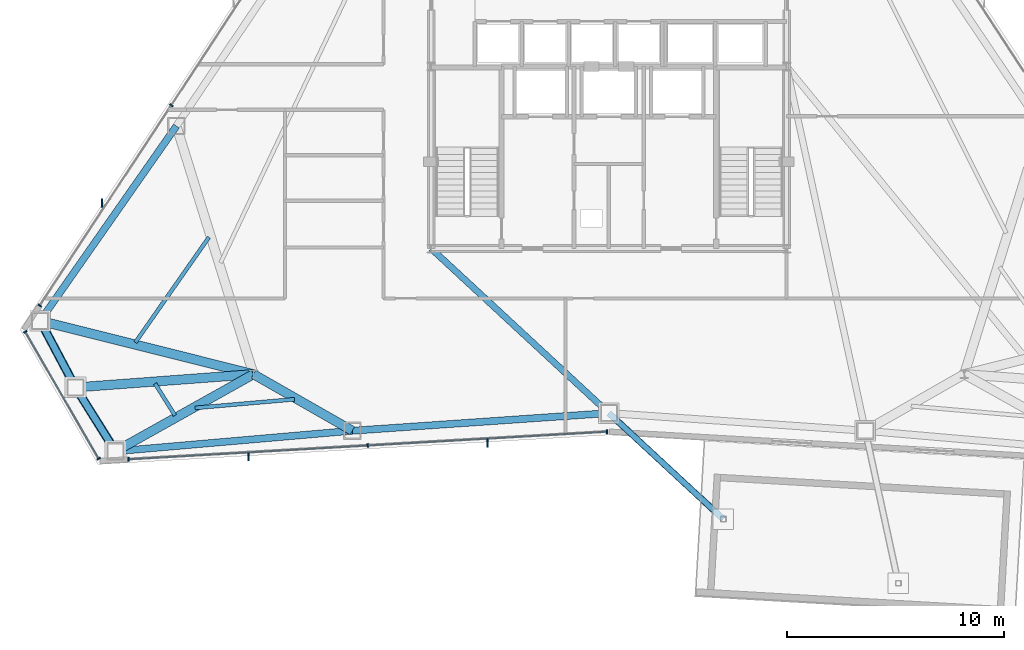
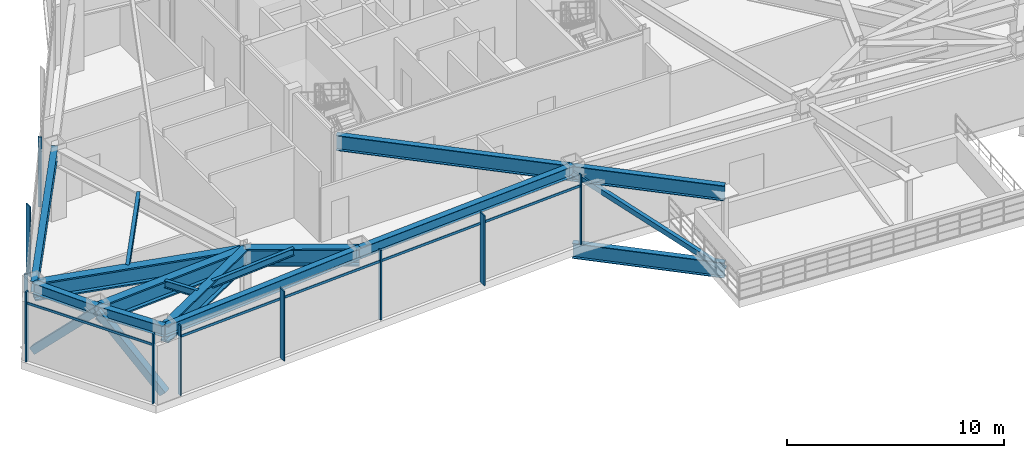
# One storey, part 3 of 13: 15 beams, 15 members, 3 elements without a shape of their own.
"""IFC4 building model written with IfcOpenShell, lengths in metres."""

import ifcopenshell
import ifcopenshell.guid

model = None  # the IFC model being written
_history = None  # IfcOwnerHistory: only IFC2X3 demands one
_inside = {}  # id of a spatial element -> (the spatial element, [elements in it])
_under = {}  # id of a project, library or spatial element -> (it, [spatial elements below it])
_declared = {}  # id of a project -> (the project, [libraries it declares])
_typed = {}  # id of a type object -> (the type object, [elements of that type])
_made_of = {}  # id of a material, layer set ... -> (it, [elements and type objects made of it])


def new_model(schema):
    """Start an empty IFC model of exactly this schema.

    Asked for "IFC4X3", IfcOpenShell would pick the latest addendum, in which some entities
    have other attributes; the version numbers below select the first issue.
    IFC2X3 requires an IfcOwnerHistory on every rooted entity: one is made here for all.
    """
    global model, _history
    if schema == "IFC4X3":
        model = ifcopenshell.file(schema_version=(4, 3, 0, 0))
    else:
        model = ifcopenshell.file(schema=schema)
    _inside.clear()
    _under.clear()
    _declared.clear()
    _typed.clear()
    _made_of.clear()
    _history = None
    if model.schema == "IFC2X3":
        org = make("IfcOrganization", Name="unknown")
        user = make(
            "IfcPersonAndOrganization",
            ThePerson=make("IfcPerson", FamilyName="unknown"),
            TheOrganization=org,
        )
        app = make(
            "IfcApplication",
            ApplicationDeveloper=org,
            Version="unknown",
            ApplicationFullName="unknown",
            ApplicationIdentifier="unknown",
        )
        _history = make(
            "IfcOwnerHistory",
            OwningUser=user,
            OwningApplication=app,
            ChangeAction="ADDED",
            CreationDate=0,
        )
    return model


def make(cls, **values):
    """One entity of the class cls with the attributes given. An attribute that is None is left unset."""
    return model.create_entity(
        cls, **{name: value for name, value in values.items() if value is not None}
    )


def rooted(cls, **values):
    """An entity with a GlobalId (a new one), such as an element, a storey or a relation."""
    return make(cls, GlobalId=ifcopenshell.guid.new(), OwnerHistory=_history, **values)


def si_unit(unit_type, name, prefix=None):
    """IfcSIUnit, for example si_unit("LENGTHUNIT", "METRE", prefix="MILLI")."""
    return make("IfcSIUnit", UnitType=unit_type, Prefix=prefix, Name=name)


def assignment(units):
    """IfcUnitAssignment: the units of a project."""
    return None if units is None else make("IfcUnitAssignment", Units=units)


def point(xyz):
    """IfcCartesianPoint."""
    return None if xyz is None else make("IfcCartesianPoint", Coordinates=xyz)


def direction(xyz):
    """IfcDirection."""
    return None if xyz is None else make("IfcDirection", DirectionRatios=xyz)


def frame(location, z_axis=None, x_axis=None):
    """IfcAxis2Placement3D, a coordinate frame: its origin and axes. An axis left out is left unset."""
    return make(
        "IfcAxis2Placement3D",
        Location=point(location),
        Axis=direction(z_axis),
        RefDirection=direction(x_axis),
    )


def frame_2d(location, x_axis=None):
    """IfcAxis2Placement2D, a coordinate frame in the plane: its origin and x axis."""
    return make(
        "IfcAxis2Placement2D", Location=point(location), RefDirection=direction(x_axis)
    )


def origin():
    """The frame at (0, 0, 0) with its axes left unset."""
    return frame((0.0, 0.0, 0.0))


def origin_2d():
    """The frame at (0, 0) in the plane with its x axis left unset."""
    return frame_2d((0.0, 0.0))


def place(relative_to, where):
    """IfcLocalPlacement: puts the frame where relative to a parent placement (None: the world)."""
    return make(
        "IfcLocalPlacement", PlacementRelTo=relative_to, RelativePlacement=where
    )


def context(
    kind, dimensions, precision=None, world=None, true_north=None, identifier=None
):
    """IfcGeometricRepresentationContext, for example the 3D "Model" context."""
    return make(
        "IfcGeometricRepresentationContext",
        ContextIdentifier=identifier,
        ContextType=kind,
        CoordinateSpaceDimension=dimensions,
        Precision=precision,
        WorldCoordinateSystem=world,
        TrueNorth=true_north,
    )


def subcontext(parent, identifier, kind, view, scale=None):
    """IfcGeometricRepresentationSubContext, for example "Body" below "Model"."""
    return make(
        "IfcGeometricRepresentationSubContext",
        ContextIdentifier=identifier,
        ContextType=kind,
        ParentContext=parent,
        TargetScale=scale,
        TargetView=view,
    )


def project(units=None, contexts=None):
    """IfcProject with its units and contexts."""
    return rooted(
        "IfcProject",
        Name="project",
        RepresentationContexts=contexts,
        UnitsInContext=assignment(units),
    )


def spatial(cls, under=None, at=None, **own):
    """A site, building, storey or space (cls), placed at a placement, below another one or the project."""
    s = rooted(cls, ObjectPlacement=at, **own)
    if under is not None:
        _under.setdefault(under.id(), (under, []))[1].append(s)
    return s


def profile(cls, at=None, kind="AREA", **sizes):
    """A parametric profile (cls). Its sizes go by their IFC names, for example OverallWidth=200.0."""
    return make(cls, ProfileType=kind, Position=at, **sizes)


def rectangle(**sizes):
    """IfcRectangleProfileDef."""
    return profile("IfcRectangleProfileDef", **sizes)


def hollow_rectangle(**sizes):
    """IfcRectangleHollowProfileDef."""
    return profile("IfcRectangleHollowProfileDef", **sizes)


def i_section(**sizes):
    """IfcIShapeProfileDef."""
    return profile("IfcIShapeProfileDef", **sizes)


def extrude(swept, where, along, depth):
    """IfcExtrudedAreaSolid: the profile swept, set in the frame where, extruded along a direction by depth."""
    return make(
        "IfcExtrudedAreaSolid",
        SweptArea=swept,
        Position=where,
        ExtrudedDirection=direction(along),
        Depth=depth,
    )


def shape(context_of_items, identifier, shape_type, items):
    """IfcShapeRepresentation: the items that make up one representation, for example the "Body"."""
    return make(
        "IfcShapeRepresentation",
        ContextOfItems=context_of_items,
        RepresentationIdentifier=identifier,
        RepresentationType=shape_type,
        Items=items,
    )


def source(mapping_origin, context_of_items, identifier, shape_type, items):
    """IfcRepresentationMap: a shape defined once, which mapped items show again and again."""
    return make(
        "IfcRepresentationMap",
        MappingOrigin=mapping_origin,
        MappedRepresentation=shape(context_of_items, identifier, shape_type, items),
    )


def transform(
    local_origin,
    x_axis=None,
    y_axis=None,
    z_axis=None,
    scale=None,
    scale2=None,
    scale3=None,
    uniform=True,
):
    """IfcCartesianTransformationOperator3D, or its non-uniform kind. x_axis, y_axis, z_axis: its Axis1, 2, 3."""
    if uniform:
        return make(
            "IfcCartesianTransformationOperator3D",
            Axis1=direction(x_axis),
            Axis2=direction(y_axis),
            LocalOrigin=point(local_origin),
            Scale=scale,
            Axis3=direction(z_axis),
        )
    return make(
        "IfcCartesianTransformationOperator3DnonUniform",
        Axis1=direction(x_axis),
        Axis2=direction(y_axis),
        LocalOrigin=point(local_origin),
        Scale=scale,
        Axis3=direction(z_axis),
        Scale2=scale2,
        Scale3=scale3,
    )


def mapped(mapping_source, mapping_target):
    """IfcMappedItem: shows the shape of a source again, moved by a transform."""
    return make(
        "IfcMappedItem", MappingSource=mapping_source, MappingTarget=mapping_target
    )


def material(Name=None, Category=None):
    """IfcMaterial."""
    return make("IfcMaterial", Name=Name, Category=Category)


def layer(
    of_material, thickness, ventilated=None, Name=None, Category=None, Priority=None
):
    """IfcMaterialLayer: one layer of a wall or slab, of a material (None: an air gap)."""
    return make(
        "IfcMaterialLayer",
        Material=of_material,
        LayerThickness=thickness,
        IsVentilated=ventilated,
        Name=Name,
        Category=Category,
        Priority=Priority,
    )


def layer_set(layers, Name=None):
    """IfcMaterialLayerSet."""
    return make("IfcMaterialLayerSet", MaterialLayers=layers, LayerSetName=Name)


def material_profile(
    of_material, cross_section, Name=None, Category=None, Priority=None
):
    """IfcMaterialProfile: a cross section and its material."""
    return make(
        "IfcMaterialProfile",
        Name=Name,
        Material=of_material,
        Profile=cross_section,
        Priority=Priority,
        Category=Category,
    )


def profile_set(profiles, Name=None, composite=None):
    """IfcMaterialProfileSet."""
    return make(
        "IfcMaterialProfileSet",
        Name=Name,
        MaterialProfiles=profiles,
        CompositeProfile=composite,
    )


def made_of(thing, what):
    """Note that an element or type object is made of a material, layer set ...; save() writes the relation."""
    if what is not None:
        _made_of.setdefault(what.id(), (what, []))[1].append(thing)
    return thing


def type_object(cls, material=None, **own):
    """A type object (cls), such as IfcWallType, which elements share."""
    return made_of(rooted(cls, **own), material)


def type_shapes(of_type, sources):
    """Give a type object the sources (RepresentationMaps) that its elements show as mapped items."""
    of_type.RepresentationMaps = sources


def element(
    cls,
    number,
    at=None,
    inside=None,
    cuts=None,
    type_object=None,
    material=None,
    context=None,
    identifier="Body",
    shape_type=None,
    held_by="IfcProductDefinitionShape",
    body=None,
    shapes=None,
    **own,
):
    """One element of the class cls, such as IfcWall. Its Tag is "e" and its number.

    at: its placement. inside: the storey or other place that contains it. cuts: it is an
    opening in that element (IfcRelVoidsElement). A single representation is given by context,
    identifier, shape_type and body (its items); several are given by shapes. held_by: the class
    of the entity that holds the representations. save() writes the other relations.
    """
    e = rooted(cls, Tag="e%d" % number, ObjectPlacement=at, **own)
    if body is not None:
        shapes = [shape(context, identifier, shape_type, body)]
    if shapes is not None:
        e.Representation = make(held_by, Representations=shapes)
    if inside is not None:
        _inside.setdefault(inside.id(), (inside, []))[1].append(e)
    if cuts is not None:
        rooted(
            "IfcRelVoidsElement", RelatingBuildingElement=cuts, RelatedOpeningElement=e
        )
    if type_object is not None:
        _typed.setdefault(type_object.id(), (type_object, []))[1].append(e)
    return made_of(e, material)


def aggregate(whole, parts):
    """IfcRelAggregates: a whole, such as a stair, and the parts it consists of."""
    return rooted("IfcRelAggregates", RelatingObject=whole, RelatedObjects=parts)


def save(model, path):
    """Write the relations noted so far, then the file.

    IfcRelAggregates (storeys below a building ...), IfcRelContainedInSpatialStructure (elements
    in a storey), IfcRelDefinesByType, IfcRelAssociatesMaterial and IfcRelDeclares: one each for
    every whole, place, type object, material and project.
    """
    for whole, parts in _under.values():
        aggregate(whole, parts)
    for where, things in _inside.values():
        rooted(
            "IfcRelContainedInSpatialStructure",
            RelatedElements=things,
            RelatingStructure=where,
        )
    for kind, things in _typed.values():
        rooted("IfcRelDefinesByType", RelatedObjects=things, RelatingType=kind)
    for what, things in _made_of.values():
        rooted("IfcRelAssociatesMaterial", RelatedObjects=things, RelatingMaterial=what)
    for by, libraries in _declared.values():
        rooted("IfcRelDeclares", RelatingContext=by, RelatedDefinitions=libraries)
    model.write(path)


model = new_model("IFC4")

# Units and contexts
model_context = context("Model", 3, precision=1e-05, world=origin(), true_north=direction((0.0, 1.0)))
body_context = subcontext(model_context, "Body", "Model", "MODEL_VIEW")
ifc_project = project(units=[si_unit("LENGTHUNIT", "METRE"), si_unit("AREAUNIT", "SQUARE_METRE"), si_unit("VOLUMEUNIT", "CUBIC_METRE"), si_unit("PLANEANGLEUNIT", "RADIAN"), si_unit("MASSUNIT", "GRAM", prefix="KILO")], contexts=[model_context])

# Site, building, storey
site_placement = place(None, origin())
site = spatial("IfcSite", under=ifc_project, at=site_placement, CompositionType="ELEMENT")
building_placement = place(site_placement, origin())
building = spatial("IfcBuilding", under=site, at=building_placement, Name="Varakhsha Concourse Tower", CompositionType="ELEMENT")
storey_placement = place(building_placement, frame((0.0, 0.0, 196.5)))
storey = spatial("IfcBuildingStorey", under=building, at=storey_placement, Name="L56", CompositionType="ELEMENT", Elevation=196.5)

# Beams
ifc_material_1 = material(Name="Structural Steel ASTM A992 Grade 50", Category="steel")
ifc_material_profile_1 = material_profile(ifc_material_1, i_section(OverallWidth=0.177978515625, OverallDepth=0.406982421875, WebThickness=0.008056640625, FlangeThickness=0.012939453125, at=origin_2d()), Name="W16X40")
ifc_profile_set_1 = profile_set([ifc_material_profile_1], Name="Structural Steel ASTM A992 Grade 50")
beam_type_1 = type_object("IfcBeamType", Name="BM-JST-W16X40", PredefinedType="JOIST", material=ifc_profile_set_1)
beam_1_placement = place(storey_placement, frame((21.54638671875, 16.92333984375, 3.736572265625), z_axis=(-0.573121998455, -0.819470057346, 0.0), x_axis=(0.819470057346, -0.573121998455, 0.0)))
element("IfcBeam", 1, at=beam_1_placement, inside=storey, type_object=beam_type_1, Name="BM-TJST-L56-06", PredefinedType="JOIST", context=body_context, shape_type="SweptSolid", body=[
    extrude(i_section(OverallWidth=0.177978515625, OverallDepth=0.406982421875, WebThickness=0.008056640625, FlangeThickness=0.012939453125, at=origin_2d()), origin(), (0.0, 0.0, 1.0), 5.92236328125),
])
beam_2_placement = place(storey_placement, frame((19.060302734375, 10.165771484375, 3.736572265625), z_axis=(0.530709809882, -0.847553595766, 0.0), x_axis=(0.847553595766, 0.530709809882, 0.0)))
element("IfcBeam", 2, at=beam_2_placement, inside=storey, type_object=beam_type_1, Name="BM-TJST-L56-08", PredefinedType="JOIST", context=body_context, shape_type="SweptSolid", body=[
    extrude(i_section(OverallWidth=0.177978515625, OverallDepth=0.406982421875, WebThickness=0.008056640625, FlangeThickness=0.012939453125, at=origin_2d()), origin(), (0.0, 0.0, 1.0), 1.728271484375),
])
beam_3_placement = place(storey_placement, frame((20.9091796875, 9.044189453125, 3.736572265625), z_axis=(0.996242576785, 0.086606744545, 0.0), x_axis=(-0.086606744545, 0.996242576785, 0.0)))
element("IfcBeam", 3, at=beam_3_placement, inside=storey, type_object=beam_type_1, Name="BM-TJST-L56-09", PredefinedType="JOIST", context=body_context, shape_type="SweptSolid", body=[
    extrude(i_section(OverallWidth=0.177978515625, OverallDepth=0.406982421875, WebThickness=0.008056640625, FlangeThickness=0.012939453125, at=origin_2d()), origin(), (0.0, 0.0, 1.0), 4.606201171875),
])
ifc_material_profile_2 = material_profile(ifc_material_1, i_section(OverallWidth=0.2919921875, OverallDepth=0.85888671875, WebThickness=0.01708984375, FlangeThickness=0.031005859375, at=origin_2d()), Name="W33X169")
ifc_profile_set_2 = profile_set([ifc_material_profile_2], Name="Structural Steel ASTM A992 Grade 50")
beam_type_2 = type_object("IfcBeamType", Name="BM-POOL-W33X169", PredefinedType="USERDEFINED", material=ifc_profile_set_2)
beam_4_placement = place(storey_placement, frame((40.0, 8.806396484375, -0.849609375), z_axis=(0.733713090066, -0.679459418557, 0.0), x_axis=(0.679459418557, 0.733713090066, 0.0)))
element("IfcBeam", 4, at=beam_4_placement, inside=storey, type_object=beam_type_2, Name="Sky Pool Truss SPT-1 Cantilever Bottom Chord", ObjectType="GIRDER", PredefinedType="USERDEFINED", context=body_context, shape_type="SweptSolid", body=[
    extrude(i_section(OverallWidth=0.2919921875, OverallDepth=0.85888671875, WebThickness=0.01708984375, FlangeThickness=0.031005859375, at=origin_2d()), origin(), (0.0, 0.0, 1.0), 7.199951171875),
])
beam_5_placement = place(storey_placement, frame((31.800048828125, 16.39990234375, 3.490478515625), z_axis=(0.733717917742, -0.679454205363, 0.0), x_axis=(0.679454205363, 0.733717917742, 0.0)))
element("IfcBeam", 5, at=beam_5_placement, inside=storey, type_object=beam_type_2, Name="Sky Pool Truss SPT-1 Back-Span Top Chord", ObjectType="GIRDER", PredefinedType="USERDEFINED", context=body_context, shape_type="SweptSolid", body=[
    extrude(i_section(OverallWidth=0.2919921875, OverallDepth=0.85888671875, WebThickness=0.01708984375, FlangeThickness=0.031005859375, at=origin_2d()), origin(), (0.0, 0.0, 1.0), 11.17578125),
])
beam_6_placement = place(storey_placement, frame((40.0, 8.806396484375, 3.490478515625), z_axis=(0.733713090066, -0.679459418557, 0.0), x_axis=(0.679459418557, 0.733713090066, 0.0)))
element("IfcBeam", 6, at=beam_6_placement, inside=storey, type_object=beam_type_2, Name="Sky Pool Truss SPT-1 Cantilever Top Chord", ObjectType="GIRDER", PredefinedType="USERDEFINED", context=body_context, shape_type="SweptSolid", body=[
    extrude(i_section(OverallWidth=0.2919921875, OverallDepth=0.85888671875, WebThickness=0.01708984375, FlangeThickness=0.031005859375, at=origin_2d()), origin(), (0.0, 0.0, 1.0), 7.199951171875),
])
ifc_material_profile_3 = material_profile(ifc_material_1, i_section(OverallWidth=0.323974609375, OverallDepth=0.611083984375, WebThickness=0.012939453125, FlangeThickness=0.01904296875, at=origin_2d()), Name="W24X104")
ifc_profile_set_3 = profile_set([ifc_material_profile_3], Name="Structural Steel ASTM A992 Grade 50")
beam_type_3 = type_object("IfcBeamType", Name="BM-SPAN-W24X104", PredefinedType="SPANDREL", material=ifc_profile_set_3)
beam_7_placement = place(storey_placement, frame((20.045166015625, 22.052490234375, 3.634521484375), z_axis=(-0.573120208944, -0.819471308894, 0.0), x_axis=(0.819471308894, -0.573120208944, 0.0)))
element("IfcBeam", 7, at=beam_7_placement, inside=storey, type_object=beam_type_3, Name="BM-SPAN-L56-06", PredefinedType="SPANDREL", context=body_context, shape_type="SweptSolid", body=[
    extrude(i_section(OverallWidth=0.323974609375, OverallDepth=0.611083984375, WebThickness=0.012939453125, FlangeThickness=0.01904296875, at=origin_2d()), origin(), (0.0, 0.0, 1.0), 10.96875),
])
for number, where, z_axis, x_axis, name in (
    (8, (13.7587890625, 13.06396484375, 3.634521484375), (0.46872586503, -0.883343683654, 0.0), (0.883343683654, 0.46872586503, 0.0), "BM-SPAN-L56-07"),
    (9, (15.389404296875, 9.990966796875, 3.634521484375), (0.530698979361, -0.84756037738, 0.0), (0.84756037738, 0.530698979361, 0.0), "BM-SPAN-L56-08"),
):
    element("IfcBeam", number, at=place(storey_placement, frame(where, z_axis=z_axis, x_axis=x_axis)), inside=storey, type_object=beam_type_3, Name=name, PredefinedType="SPANDREL", context=body_context, shape_type="SweptSolid", body=[
        extrude(i_section(OverallWidth=0.323974609375, OverallDepth=0.611083984375, WebThickness=0.012939453125, FlangeThickness=0.01904296875, at=origin_2d()), origin(), (0.0, 0.0, 1.0), 3.478759765625),
    ])
beam_8_placement = place(storey_placement, frame((17.235595703125, 7.04248046875, 3.634521484375), z_axis=(0.996244429203, 0.086585433433, 0.0), x_axis=(-0.086585433433, 0.996244429203, 0.0)))
element("IfcBeam", 10, at=beam_8_placement, inside=storey, type_object=beam_type_3, Name="BM-SPAN-L56-09", PredefinedType="SPANDREL", context=body_context, shape_type="SweptSolid", body=[
    extrude(i_section(OverallWidth=0.323974609375, OverallDepth=0.611083984375, WebThickness=0.012939453125, FlangeThickness=0.01904296875, at=origin_2d()), origin(), (0.0, 0.0, 1.0), 10.968505859375),
])
beam_9_placement = place(storey_placement, frame((28.162841796875, 7.9921875, 3.634521484375), z_axis=(0.997642731014, 0.068622017282, 0.0), x_axis=(-0.068622017282, 0.997642731014, 0.0)))
element("IfcBeam", 11, at=beam_9_placement, inside=storey, type_object=beam_type_3, Name="BM-SPAN-L56-10", PredefinedType="SPANDREL", context=body_context, shape_type="SweptSolid", body=[
    extrude(i_section(OverallWidth=0.323974609375, OverallDepth=0.611083984375, WebThickness=0.012939453125, FlangeThickness=0.01904296875, at=origin_2d()), origin(), (0.0, 0.0, 1.0), 11.865234375),
])
ifc_material_profile_4 = material_profile(ifc_material_1, i_section(OverallWidth=0.427978515625, OverallDepth=0.97509765625, WebThickness=0.050048828125, FlangeThickness=0.0810546875, at=origin_2d()), Name="W36X395")
ifc_profile_set_4 = profile_set([ifc_material_profile_4], Name="Structural Steel ASTM A992 Grade 50")
beam_type_4 = type_object("IfcBeamType", Name="BM-XFER-W36X395", PredefinedType="USERDEFINED", material=ifc_profile_set_4)
beam_10_placement = place(storey_placement, frame((23.60009765625, 10.60009765625, 3.452392578125), z_axis=(-0.970060340423, 0.242864027674, 0.0), x_axis=(-0.242864027674, -0.970060340423, 0.0)))
element("IfcBeam", 12, at=beam_10_placement, inside=storey, type_object=beam_type_4, Name="L56 Radial Floor Girder 07", ObjectType="GIRDER", PredefinedType="USERDEFINED", context=body_context, shape_type="SweptSolid", body=[
    extrude(i_section(OverallWidth=0.427978515625, OverallDepth=0.97509765625, WebThickness=0.050048828125, FlangeThickness=0.0810546875, at=origin_2d()), origin(), (0.0, 0.0, 1.0), 10.14501953125),
])
beam_11_placement = place(storey_placement, frame((23.60009765625, 10.60009765625, 3.452392578125), z_axis=(-0.997259414531, -0.073984188375, 0.0), x_axis=(0.073984188375, -0.997259414531, 0.0)))
element("IfcBeam", 13, at=beam_11_placement, inside=storey, type_object=beam_type_4, Name="L56 Radial Floor Girder 08", ObjectType="GIRDER", PredefinedType="USERDEFINED", context=body_context, shape_type="SweptSolid", body=[
    extrude(i_section(OverallWidth=0.427978515625, OverallDepth=0.97509765625, WebThickness=0.050048828125, FlangeThickness=0.0810546875, at=origin_2d()), origin(), (0.0, 0.0, 1.0), 8.233154296875),
])
beam_12_placement = place(storey_placement, frame((23.60009765625, 10.60009765625, 3.452392578125), z_axis=(-0.872886021886, -0.487924167054, 0.0), x_axis=(0.487924167054, -0.872886021886, 0.0)))
element("IfcBeam", 14, at=beam_12_placement, inside=storey, type_object=beam_type_4, Name="L56 Radial Floor Girder 09", ObjectType="GIRDER", PredefinedType="USERDEFINED", context=body_context, shape_type="SweptSolid", body=[
    extrude(i_section(OverallWidth=0.427978515625, OverallDepth=0.97509765625, WebThickness=0.050048828125, FlangeThickness=0.0810546875, at=origin_2d()), origin(), (0.0, 0.0, 1.0), 7.291259765625),
])
beam_13_placement = place(storey_placement, frame((23.60009765625, 10.60009765625, 3.452392578125), z_axis=(0.868191679953, -0.496228986316, 0.0), x_axis=(0.496228986316, 0.868191679953, 0.0)))
element("IfcBeam", 15, at=beam_13_placement, inside=storey, type_object=beam_type_4, Name="L56 Radial Floor Girder 10", ObjectType="GIRDER", PredefinedType="USERDEFINED", context=body_context, shape_type="SweptSolid", body=[
    extrude(i_section(OverallWidth=0.427978515625, OverallDepth=0.97509765625, WebThickness=0.050048828125, FlangeThickness=0.0810546875, at=origin_2d()), origin(), (0.0, 0.0, 1.0), 5.25537109375),
])

# Members
ifc_material_2 = material(Name="Structural Steel ASTM A500 Grade C", Category="steel")
ifc_material_profile_5 = material_profile(ifc_material_2, hollow_rectangle(XDim=0.39990234375, YDim=0.39990234375, WallThickness=0.01611328125, at=origin_2d()), Name="HSS 400x400x16")
ifc_profile_set_5 = profile_set([ifc_material_profile_5], Name="Structural Steel ASTM A500 Grade C")
member_type_1 = type_object("IfcMemberType", Name="MB-TUBE-HSS400", PredefinedType="BRACE", material=ifc_profile_set_5)
shared_shape_1 = source(origin(), body_context, "Body", "SweptSolid", [
    extrude(hollow_rectangle(XDim=0.39990234375, YDim=0.39990234375, WallThickness=0.01611328125, at=origin_2d()), origin(), (0.0, 0.0, 1.0), 4.94873046875),
])
type_shapes(member_type_1, [shared_shape_1])
for number, where, z_axis, x_axis, name in (
    (16, (13.7587890625, 13.06396484375, 0.1201171875), (0.329494269159, -0.620952892035, 0.711232052473), (0.883343683654, 0.46872586503, 0.0), "L56 Wind-Corner Tube Brace B03"),
    (17, (17.235595703125, 7.04248046875, 0.1201171875), (-0.373056939242, 0.595795907858, 0.711235373321), (-0.84756037738, -0.530698979361, 0.0), "L56 Wind-Corner Tube Brace B04"),
):
    element("IfcMember", number, at=place(storey_placement, frame(where, z_axis=z_axis, x_axis=x_axis)), inside=storey, type_object=member_type_1, Name=name, PredefinedType="BRACE", context=body_context, shape_type="MappedRepresentation", body=[
        mapped(shared_shape_1, transform((0.0, 0.0, 0.0), scale=1.0)),
    ])
ifc_material_profile_6 = material_profile(ifc_material_2, hollow_rectangle(XDim=0.25, YDim=0.25, WallThickness=0.011962890625, at=origin_2d()), Name="HSS 250x250x12")
ifc_profile_set_6 = profile_set([ifc_material_profile_6], Name="Structural Steel ASTM A500 Grade C")
member_type_2 = type_object("IfcMemberType", Name="MB-POOL-HSS250", PredefinedType="CHORD", material=ifc_profile_set_6)
shared_shape_2 = source(origin(), body_context, "Body", "SweptSolid", [
    extrude(hollow_rectangle(XDim=0.25, YDim=0.25, WallThickness=0.011962890625, at=origin_2d()), origin(), (0.0, 0.0, 1.0), 8.406982421875),
])
type_shapes(member_type_2, [shared_shape_2])
member_1_placement = place(storey_placement, frame((40.0, 8.806396484375, 3.489990234375), z_axis=(0.62837839201, -0.58191358809, -0.516253012051), x_axis=(0.679459418557, 0.733713090066, 0.0)))
element("IfcMember", 18, at=member_1_placement, inside=storey, type_object=member_type_2, Name="Sky Pool Truss SPT-1 Tension Diagonal", PredefinedType="CHORD", context=body_context, shape_type="MappedRepresentation", body=[
    mapped(shared_shape_2, transform((0.0, 0.0, 0.0), scale=1.0)),
])

# Curtain wall, members
ifc_material_3 = material(Name="Anodised Bronze Architectural Aluminium AA 6063-T6", Category="aluminium")
ifc_layer = layer(ifc_material_3, 0.2099609375, Name="CW-SYS-04")
ifc_layer_set = layer_set([ifc_layer], Name="Anodised Bronze Architectural Aluminium AA 6063-T6")
curtain_wall_type = type_object("IfcCurtainWallType", Name="CW-SYS-04", PredefinedType="NOTDEFINED", material=ifc_layer_set)
curtain_wall_1_placement = place(storey_placement, origin())
curtain_wall_1 = element("IfcCurtainWall", 19, at=curtain_wall_1_placement, inside=storey, type_object=curtain_wall_type, Name="L56 Crystal Curtain Wall F3", PredefinedType="NOTDEFINED")
ifc_material_profile_7 = material_profile(ifc_material_3, rectangle(XDim=0.06494140625, YDim=0.179931640625, at=origin_2d()), Name="CWM-180X65")
ifc_profile_set_7 = profile_set([ifc_material_profile_7], Name="Anodised Bronze Architectural Aluminium AA 6063-T6")
member_type_3 = type_object("IfcMemberType", Name="CWM-180X65", PredefinedType="MULLION", material=ifc_profile_set_7)
shared_shape_3 = source(origin(), body_context, "Body", "SweptSolid", [
    extrude(rectangle(XDim=0.06494140625, YDim=0.179931640625, at=origin_2d()), origin(), (0.0, 0.0, 1.0), 3.93994140625),
])
type_shapes(member_type_3, [shared_shape_3])
member_2_placement = place(storey_placement, frame((13.74072265625, 13.767578125, 0.0), z_axis=(0.0, 0.0, 1.0), x_axis=(0.549079708329, 0.835769988634, 0.0)))
member_2 = element("IfcMember", 20, at=member_2_placement, type_object=member_type_3, Name="CW-L56-F3 Mullion 00", PredefinedType="MULLION", context=body_context, shape_type="MappedRepresentation", body=[
    mapped(shared_shape_3, transform((0.0, 0.0, 0.0), scale=1.0)),
])
member_3_placement = place(storey_placement, frame((19.811279296875, 23.008056640625, 0.0), z_axis=(0.0, 0.0, 1.0), x_axis=(0.549079708329, 0.835769988634, 0.0)))
member_3 = element("IfcMember", 21, at=member_3_placement, type_object=member_type_3, Name="CW-L56-F3 Mullion 01", PredefinedType="MULLION", context=body_context, shape_type="MappedRepresentation", body=[
    mapped(shared_shape_3, transform((0.0, 0.0, 0.0), scale=1.0)),
])

curtain_wall_2_placement = place(storey_placement, origin())
curtain_wall_2 = element("IfcCurtainWall", 22, at=curtain_wall_2_placement, inside=storey, type_object=curtain_wall_type, Name="L56 Chamfer Curtain Wall F4", PredefinedType="NOTDEFINED")
member_4_placement = place(storey_placement, frame((16.455810546875, 6.703857421875, 0.0), z_axis=(0.0, 0.0, 1.0), x_axis=(-0.499995465495, 0.866028021766, 0.0)))
member_4 = element("IfcMember", 23, at=member_4_placement, type_object=member_type_3, Name="CW-L56-F4 Mullion 00", PredefinedType="MULLION", context=body_context, shape_type="MappedRepresentation", body=[
    mapped(shared_shape_3, transform((0.0, 0.0, 0.0), scale=1.0)),
])
member_5_placement = place(storey_placement, frame((13.075927734375, 12.55810546875, 0.0), z_axis=(0.0, 0.0, 1.0), x_axis=(-0.499995465495, 0.866028021766, 0.0)))
member_5 = element("IfcMember", 24, at=member_5_placement, type_object=member_type_3, Name="CW-L56-F4 Mullion 01", PredefinedType="MULLION", context=body_context, shape_type="MappedRepresentation", body=[
    mapped(shared_shape_3, transform((0.0, 0.0, 0.0), scale=1.0)),
])

curtain_wall_3_placement = place(storey_placement, origin())
curtain_wall_3 = element("IfcCurtainWall", 25, at=curtain_wall_3_placement, inside=storey, type_object=curtain_wall_type, Name="L56 Crystal Curtain Wall F5", PredefinedType="NOTDEFINED")
member_6_placement = place(storey_placement, frame((39.910888671875, 7.949462890625, 0.0), z_axis=(0.0, 0.0, 1.0), x_axis=(-0.998337493671, -0.05763895151, 0.0)))
member_6 = element("IfcMember", 26, at=member_6_placement, type_object=member_type_3, Name="CW-L56-F5 Mullion 00", PredefinedType="MULLION", context=body_context, shape_type="MappedRepresentation", body=[
    mapped(shared_shape_3, transform((0.0, 0.0, 0.0), scale=1.0)),
])
member_7_placement = place(storey_placement, frame((28.873291015625, 7.31201171875, 0.0), z_axis=(0.0, 0.0, 1.0), x_axis=(-0.998337493671, -0.05763895151, 0.0)))
member_7 = element("IfcMember", 27, at=member_7_placement, type_object=member_type_3, Name="CW-L56-F5 Mullion 01", PredefinedType="MULLION", context=body_context, shape_type="MappedRepresentation", body=[
    mapped(shared_shape_3, transform((0.0, 0.0, 0.0), scale=1.0)),
])
member_8_placement = place(storey_placement, frame((17.835693359375, 6.6748046875, 0.0), z_axis=(0.0, 0.0, 1.0), x_axis=(-0.998337493671, -0.05763895151, 0.0)))
member_8 = element("IfcMember", 28, at=member_8_placement, type_object=member_type_3, Name="CW-L56-F5 Mullion 02", PredefinedType="MULLION", context=body_context, shape_type="MappedRepresentation", body=[
    mapped(shared_shape_3, transform((0.0, 0.0, 0.0), scale=1.0)),
])

# Member
ifc_material_profile_8 = material_profile(ifc_material_3, rectangle(XDim=0.06005859375, YDim=0.139892578125, at=origin_2d()), Name="CWT-140X60")
ifc_profile_set_8 = profile_set([ifc_material_profile_8], Name="Anodised Bronze Architectural Aluminium AA 6063-T6")
member_type_4 = type_object("IfcMemberType", Name="CWT-140X60", PredefinedType="USERDEFINED", material=ifc_profile_set_8)
shared_shape_4 = source(origin(), body_context, "Body", "SweptSolid", [
    extrude(rectangle(XDim=0.06005859375, YDim=0.139892578125, at=origin_2d()), origin(), (0.0, 0.0, 1.0), 6.759765625),
])
member_9_placement = place(storey_placement, frame((16.455810546875, 6.703857421875, 3.2900390625), z_axis=(-0.499992358568, 0.866029815523, 0.0), x_axis=(-0.866029815523, -0.499992358568, 0.0)))
member_9 = element("IfcMember", 29, at=member_9_placement, type_object=member_type_4, Name="CW-L56-F4 Transom 01", ObjectType="TRANSOM", PredefinedType="USERDEFINED", context=body_context, shape_type="MappedRepresentation", body=[
    mapped(shared_shape_4, transform((0.0, 0.0, 0.0), scale=1.0)),
])

aggregate(curtain_wall_2, [member_4, member_5, member_9])

ifc_material_profile_9 = material_profile(ifc_material_3, rectangle(XDim=0.06005859375, YDim=0.3798828125, at=origin_2d()), Name="FIN-BRZ-380")
ifc_profile_set_9 = profile_set([ifc_material_profile_9], Name="Anodised Bronze Architectural Aluminium AA 6063-T6")
member_type_5 = type_object("IfcMemberType", Name="FIN-BRZ-380", PredefinedType="USERDEFINED", material=ifc_profile_set_9)
shared_shape_5 = source(origin(), body_context, "Body", "SweptSolid", [
    extrude(rectangle(XDim=0.06005859375, YDim=0.3798828125, at=origin_2d()), origin(), (0.0, 0.0, 1.0), 3.93994140625),
])
type_shapes(member_type_5, [shared_shape_5])
member_10_placement = place(storey_placement, frame((16.604736328125, 18.500244140625, 0.0), z_axis=(0.0, 0.0, 1.0), x_axis=(1.0, 0.0, 0.0)))
member_10 = element("IfcMember", 30, at=member_10_placement, type_object=member_type_5, Name="L56 Anodised Bronze Solar Fin F3-1", ObjectType="SOLAR FIN", PredefinedType="USERDEFINED", context=body_context, shape_type="MappedRepresentation", body=[
    mapped(shared_shape_5, transform((0.0, 0.0, 0.0), scale=1.0)),
])

aggregate(curtain_wall_1, [member_2, member_3, member_10])

member_11_placement = place(storey_placement, frame((34.40380859375, 7.426025390625, 0.0), z_axis=(0.0, 0.0, 1.0), x_axis=(1.0, 0.0, 0.0)))
member_11 = element("IfcMember", 31, at=member_11_placement, type_object=member_type_5, Name="L56 Anodised Bronze Solar Fin F5-1", ObjectType="SOLAR FIN", PredefinedType="USERDEFINED", context=body_context, shape_type="MappedRepresentation", body=[
    mapped(shared_shape_5, transform((0.0, 0.0, 0.0), scale=1.0)),
])

member_12_placement = place(storey_placement, frame((23.3662109375, 6.788818359375, 0.0), z_axis=(0.0, 0.0, 1.0), x_axis=(1.0, 0.0, 0.0)))
member_12 = element("IfcMember", 32, at=member_12_placement, type_object=member_type_5, Name="L56 Anodised Bronze Solar Fin F5-2", ObjectType="SOLAR FIN", PredefinedType="USERDEFINED", context=body_context, shape_type="MappedRepresentation", body=[
    mapped(shared_shape_5, transform((0.0, 0.0, 0.0), scale=1.0)),
])

shared_shape_6 = source(origin(), body_context, "Body", "SweptSolid", [
    extrude(rectangle(XDim=0.06005859375, YDim=0.139892578125, at=origin_2d()), origin(), (0.0, 0.0, 1.0), 22.112060546875),
])
type_shapes(member_type_4, [shared_shape_4, shared_shape_6])
member_13_placement = place(storey_placement, frame((39.910888671875, 7.949462890625, 3.2900390625), z_axis=(-0.998337107954, -0.057645631947, 0.0), x_axis=(0.057645631947, -0.998337107954, 0.0)))
member_13 = element("IfcMember", 33, at=member_13_placement, type_object=member_type_4, Name="CW-L56-F5 Transom 01", ObjectType="TRANSOM", PredefinedType="USERDEFINED", context=body_context, shape_type="MappedRepresentation", body=[
    mapped(shared_shape_6, transform((0.0, 0.0, 0.0), scale=1.0)),
])

aggregate(curtain_wall_3, [member_6, member_7, member_8, member_13, member_11, member_12])

save(model, "model.ifc")
